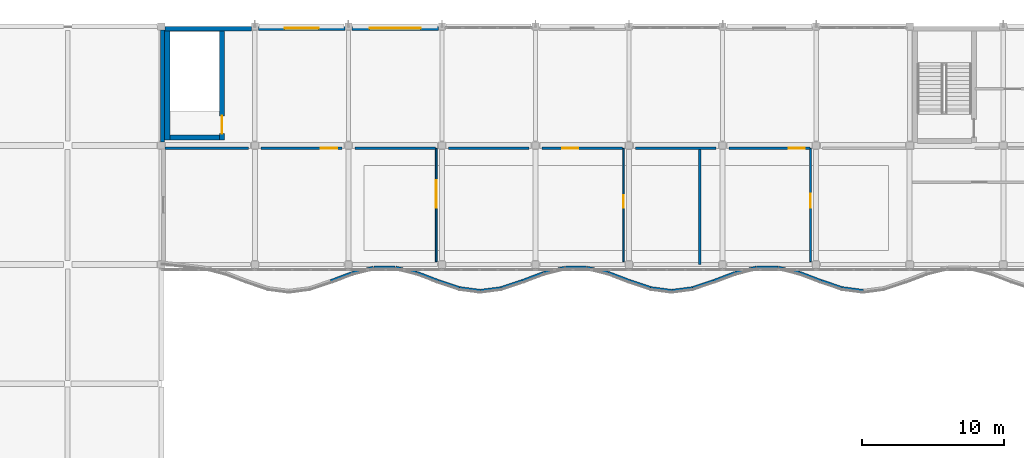
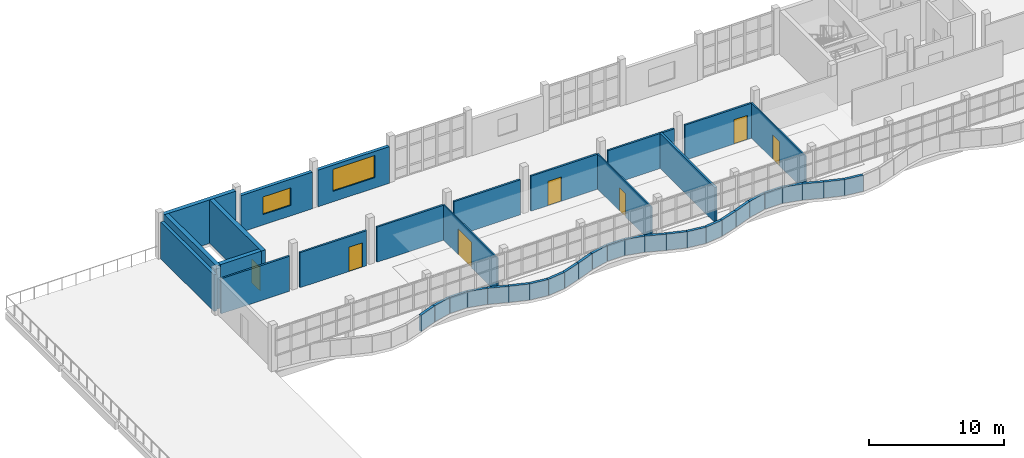
# One storey, part 58 of 78: 43 walls, 7 doors, 2 windows, 9 openings.
"""IFC4 building model written with IfcOpenShell, lengths in metres."""

from ifc_helpers import new_model, si_unit, direction, frame, frame_2d, origin, place, context, subcontext, project, spatial, rectangle, extrude, material, layer, layer_set, type_object, element, fill, save


model = new_model("IFC4")

# Units and contexts
model_context = context("Model", 3, precision=1e-05, world=origin(), true_north=direction((0.0, 1.0)))
body_context = subcontext(model_context, "Body", "Model", "MODEL_VIEW")
ifc_project = project(units=[si_unit("LENGTHUNIT", "METRE"), si_unit("AREAUNIT", "SQUARE_METRE"), si_unit("VOLUMEUNIT", "CUBIC_METRE"), si_unit("PLANEANGLEUNIT", "RADIAN"), si_unit("MASSUNIT", "GRAM", prefix="KILO")], contexts=[model_context])

# Site, building, storey
site_placement = place(None, origin())
site = spatial("IfcSite", under=ifc_project, at=site_placement, CompositionType="ELEMENT")
building_placement = place(site_placement, origin())
building = spatial("IfcBuilding", under=site, at=building_placement, Name="Qaldarim Faculty of Natural and Applied Sciences", CompositionType="ELEMENT")
storey_placement = place(building_placement, frame((0.0, 0.0, 18.60009765625)))
storey = spatial("IfcBuildingStorey", under=building, at=storey_placement, Name="L04", CompositionType="ELEMENT", Elevation=18.60009765625)

# Wall, opening, door
ifc_material_1 = material(Name="Painted gypsum partition board")
ifc_layer_1 = layer(ifc_material_1, 0.1201171875)
ifc_layer_set_1 = layer_set([ifc_layer_1], Name="Painted gypsum partition board")
wall_type_1 = type_object("IfcWallType", Name="AcousticPartition-120", PredefinedType="PARTITIONING", material=ifc_layer_set_1)
wall_1_placement = place(storey_placement, frame((65.60009765625, 101.0, 0.0), z_axis=(0.0, 0.0, 1.0), x_axis=(0.0, 1.0, 0.0)))
wall_1 = element("IfcWall", 1, at=wall_1_placement, inside=storey, type_object=wall_type_1, Name="Interior partition PRT-L04-V4-SUB-1", PredefinedType="PARTITIONING", context=body_context, shape_type="SweptSolid", body=[
    extrude(rectangle(XDim=8.0, YDim=0.1201171875, at=frame_2d((4.0, 0.0))), origin(), (0.0, 0.0, 1.0), 3.18994140625),
])
opening_1_placement = place(wall_1_placement, frame((3.800048828125, 0.0, 0.0)))
opening_1 = element("IfcOpeningElement", 2, at=opening_1_placement, cuts=wall_1, Name="Opening ID13", PredefinedType="OPENING", context=body_context, shape_type="SweptSolid", body=[
    extrude(rectangle(XDim=1.949951171875, YDim=2.35009765625, at=frame_2d((0.97509765625, 1.175048828125))), frame((0.0, 0.070068359375, 0.0), z_axis=(0.0, -1.0, 0.0), x_axis=(1.0, 0.0, 0.0)), (0.0, 0.0, 1.0), 0.14013671875),
])
ifc_material_2 = material(Name="Oak hardwood", Category="wood")
door_type_1 = type_object("IfcDoorType", Name="SymposiumDoubleDoor-1950x2350", OperationType="NOTDEFINED", PredefinedType="DOOR", material=ifc_material_2)
door_1_placement = place(opening_1_placement, origin())
door_1 = element("IfcDoor", 3, at=door_1_placement, inside=storey, type_object=door_type_1, Name="Interior door D-L04-344", OperationType="SINGLE_SWING_LEFT", OverallHeight=2.35009765625, OverallWidth=1.949951171875, PredefinedType="DOOR", context=body_context, shape_type="SweptSolid", body=[
    extrude(rectangle(XDim=1.949951171875, YDim=2.35009765625, at=frame_2d((0.97509765625, 1.175048828125))), frame((0.0, 0.02490234375, 0.0), z_axis=(0.0, -1.0, 0.0), x_axis=(1.0, 0.0, 0.0)), (0.0, 0.0, 1.0), 0.050048828125),
])
fill(opening_1, door_1)

wall_2_placement = place(storey_placement, frame((78.800048828125, 101.0, 0.0), z_axis=(0.0, 0.0, 1.0), x_axis=(0.0, 1.0, 0.0)))
wall_2 = element("IfcWall", 4, at=wall_2_placement, inside=storey, type_object=wall_type_1, Name="Interior partition PRT-L04-V4-SUB-2", PredefinedType="PARTITIONING", context=body_context, shape_type="SweptSolid", body=[
    extrude(rectangle(XDim=8.0, YDim=0.1201171875, at=frame_2d((4.0, 0.0))), origin(), (0.0, 0.0, 1.0), 3.18994140625),
])
opening_2_placement = place(wall_2_placement, frame((3.800048828125, 0.0, 0.0)))
opening_2 = element("IfcOpeningElement", 5, at=opening_2_placement, cuts=wall_2, Name="Opening ID07", PredefinedType="OPENING", context=body_context, shape_type="SweptSolid", body=[
    extrude(rectangle(XDim=0.89990234375, YDim=2.10009765625, at=frame_2d((0.449951171875, 1.050048828125))), frame((0.0, 0.070068359375, 0.0), z_axis=(0.0, -1.0, 0.0), x_axis=(1.0, 0.0, 0.0)), (0.0, 0.0, 1.0), 0.14013671875),
])
door_type_2 = type_object("IfcDoorType", Name="OfficeStudyDoor-900x2100", OperationType="NOTDEFINED", PredefinedType="DOOR", material=ifc_material_2)
door_2_placement = place(opening_2_placement, origin())
door_2 = element("IfcDoor", 6, at=door_2_placement, inside=storey, type_object=door_type_2, Name="Interior door D-L04-345", OperationType="SINGLE_SWING_LEFT", OverallHeight=2.10009765625, OverallWidth=0.89990234375, PredefinedType="DOOR", context=body_context, shape_type="SweptSolid", body=[
    extrude(rectangle(XDim=0.89990234375, YDim=2.10009765625, at=frame_2d((0.449951171875, 1.050048828125))), frame((0.0, 0.02490234375, 0.0), z_axis=(0.0, -1.0, 0.0), x_axis=(1.0, 0.0, 0.0)), (0.0, 0.0, 1.0), 0.050048828125),
])
fill(opening_2, door_2)

wall_3_placement = place(storey_placement, frame((92.0, 101.0, 0.0), z_axis=(0.0, 0.0, 1.0), x_axis=(0.0, 1.0, 0.0)))
wall_3 = element("IfcWall", 7, at=wall_3_placement, inside=storey, type_object=wall_type_1, Name="Interior partition PRT-L04-V4-SUB-3", PredefinedType="PARTITIONING", context=body_context, shape_type="SweptSolid", body=[
    extrude(rectangle(XDim=8.0, YDim=0.1201171875, at=frame_2d((4.0, 0.0))), origin(), (0.0, 0.0, 1.0), 3.18994140625),
])
opening_3_placement = place(wall_3_placement, frame((3.800048828125, 0.0, 0.0)))
opening_3 = element("IfcOpeningElement", 8, at=opening_3_placement, cuts=wall_3, Name="Opening ID08", PredefinedType="OPENING", context=body_context, shape_type="SweptSolid", body=[
    extrude(rectangle(XDim=1.0, YDim=2.199951171875, at=frame_2d((0.5, 1.10009765625))), frame((0.0, 0.070068359375, 0.0), z_axis=(0.0, -1.0, 0.0), x_axis=(1.0, 0.0, 0.0)), (0.0, 0.0, 1.0), 0.14013671875),
])
door_type_3 = type_object("IfcDoorType", Name="SeminarRoomDoor-1000x2200", OperationType="NOTDEFINED", PredefinedType="DOOR", material=ifc_material_2)
door_3_placement = place(opening_3_placement, origin())
door_3 = element("IfcDoor", 9, at=door_3_placement, inside=storey, type_object=door_type_3, Name="Interior door D-L04-346", OperationType="SINGLE_SWING_LEFT", OverallHeight=2.199951171875, OverallWidth=1.0, PredefinedType="DOOR", context=body_context, shape_type="SweptSolid", body=[
    extrude(rectangle(XDim=1.0, YDim=2.199951171875, at=frame_2d((0.5, 1.10009765625))), frame((0.0, 0.02490234375, 0.0), z_axis=(0.0, -1.0, 0.0), x_axis=(1.0, 0.0, 0.0)), (0.0, 0.0, 1.0), 0.050048828125),
])
fill(opening_3, door_3)

# Wall
ifc_material_3 = material(Name="Concrete C50/60", Category="concrete")
ifc_layer_2 = layer(ifc_material_3, 0.360107421875)
ifc_layer_set_2 = layer_set([ifc_layer_2], Name="Concrete C50/60")
wall_type_2 = type_object("IfcWallType", Name="CoreShearWall-360", PredefinedType="SHEAR", material=ifc_layer_set_2)
wall_4_placement = place(storey_placement, frame((46.6201171875, 109.590087890625, 0.0), z_axis=(0.0, 0.0, 1.0), x_axis=(0.0, 1.0, 0.0)))
element("IfcWall", 10, at=wall_4_placement, inside=storey, type_object=wall_type_2, Name="Core stair ST-B2 west shear wall L04", PredefinedType="SHEAR", context=body_context, shape_type="SweptSolid", body=[
    extrude(rectangle(XDim=7.83984375, YDim=0.360107421875, at=frame_2d((3.919921875, 0.0))), origin(), (0.0, 0.0, 1.0), 3.93994140625),
])

# Wall, opening, door
wall_5_placement = place(storey_placement, frame((50.47998046875, 109.590087890625, 0.0), z_axis=(0.0, 0.0, 1.0), x_axis=(0.0, 1.0, 0.0)))
wall_5 = element("IfcWall", 11, at=wall_5_placement, inside=storey, type_object=wall_type_2, Name="Core stair ST-B2 east shear wall L04", PredefinedType="SHEAR", context=body_context, shape_type="SweptSolid", body=[
    extrude(rectangle(XDim=7.83984375, YDim=0.360107421875, at=frame_2d((3.919921875, 0.0))), origin(), (0.0, 0.0, 1.0), 3.93994140625),
])
opening_4_placement = place(wall_5_placement, frame((0.449951171875, 0.0, 0.0)))
opening_4 = element("IfcOpeningElement", 12, at=opening_4_placement, cuts=wall_5, Name="Opening ID04", PredefinedType="OPENING", context=body_context, shape_type="SweptSolid", body=[
    extrude(rectangle(XDim=1.25, YDim=2.14990234375, at=frame_2d((0.625, 1.074951171875))), frame((0.0, 0.18994140625, 0.0), z_axis=(0.0, -1.0, 0.0), x_axis=(1.0, 0.0, 0.0)), (0.0, 0.0, 1.0), 0.380126953125),
])
ifc_material_4 = material(Name="Architectural stainless steel 316", Category="steel")
door_type_4 = type_object("IfcDoorType", Name="StairEnclosureFireDoor-1250x2150", OperationType="NOTDEFINED", PredefinedType="DOOR", material=ifc_material_4)
door_4_placement = place(opening_4_placement, origin())
door_4 = element("IfcDoor", 13, at=door_4_placement, inside=storey, type_object=door_type_4, Name="Protected stair ST-B2 fire door D-L04-537", OperationType="SINGLE_SWING_RIGHT", OverallHeight=2.14990234375, OverallWidth=1.25, PredefinedType="DOOR", context=body_context, shape_type="SweptSolid", body=[
    extrude(rectangle(XDim=1.25, YDim=2.14990234375, at=frame_2d((0.625, 1.074951171875))), frame((0.0, 0.02490234375, 0.0), z_axis=(0.0, -1.0, 0.0), x_axis=(1.0, 0.0, 0.0)), (0.0, 0.0, 1.0), 0.050048828125),
])
fill(opening_4, door_4)

# Walls
wall_6_placement = place(storey_placement, frame((46.800048828125, 109.77001953125, 0.0), z_axis=(0.0, 0.0, 1.0), x_axis=(1.0, 0.0, 0.0)))
element("IfcWall", 14, at=wall_6_placement, inside=storey, type_object=wall_type_2, Name="Core stair ST-B2 south shear wall L04", PredefinedType="SHEAR", context=body_context, shape_type="SweptSolid", body=[
    extrude(rectangle(XDim=3.5, YDim=0.360107421875, at=frame_2d((1.75, 0.0))), origin(), (0.0, 0.0, 1.0), 3.93994140625),
])
ifc_material_5 = material(Name="Precast concrete C40/50", Category="concrete")
ifc_layer_3 = layer(ifc_material_5, 0.280029296875)
ifc_layer_set_3 = layer_set([ifc_layer_3], Name="Precast concrete C40/50")
wall_type_3 = type_object("IfcWallType", Name="ExteriorSpandrelWall-280", PredefinedType="SOLIDWALL", material=ifc_layer_set_3)
wall_7_placement = place(storey_placement, frame((46.2900390625, 117.35498046875, 0.0), z_axis=(0.0, 0.0, 1.0), x_axis=(0.0, -1.0, 0.0)))
element("IfcWall", 15, at=wall_7_placement, inside=storey, type_object=wall_type_3, Name="Exterior wall EW02 L04 W X08Y14", PredefinedType="SOLIDWALL", context=body_context, shape_type="SweptSolid", body=[
    extrude(rectangle(XDim=7.909912109375, YDim=0.280029296875, at=frame_2d((3.955078125, 0.0))), origin(), (0.0, 0.0, 1.0), 3.324951171875),
])

# Wall, opening, window
wall_8_placement = place(storey_placement, frame((59.155029296875, 117.4599609375, 0.0), z_axis=(0.0, 0.0, 1.0), x_axis=(-1.0, 0.0, 0.0)))
wall_8 = element("IfcWall", 16, at=wall_8_placement, inside=storey, type_object=wall_type_3, Name="Exterior wall EW02 L04 N X09Y14", PredefinedType="SOLIDWALL", context=body_context, shape_type="SweptSolid", body=[
    extrude(rectangle(XDim=6.110107421875, YDim=0.280029296875, at=frame_2d((3.05517578125, 0.0))), origin(), (0.0, 0.0, 1.0), 3.324951171875),
])
opening_5_placement = place(wall_8_placement, frame((1.85498046875, 0.0, 0.949951171875)))
opening_5 = element("IfcOpeningElement", 17, at=opening_5_placement, cuts=wall_8, Name="Opening WN03", PredefinedType="OPENING", context=body_context, shape_type="SweptSolid", body=[
    extrude(rectangle(XDim=2.39990234375, YDim=1.60009765625, at=frame_2d((1.199951171875, 0.800048828125))), frame((0.0, 0.14990234375, 0.0), z_axis=(0.0, -1.0, 0.0), x_axis=(1.0, 0.0, 0.0)), (0.0, 0.0, 1.0), 0.300048828125),
])
ifc_material_6 = material(Name="Insulated low-e double glazing", Category="glass")
window_type_1 = type_object("IfcWindowType", Name="Window-2400x1600", PartitioningType="TRIPLE_PANEL_VERTICAL", PredefinedType="WINDOW", material=ifc_material_6)
window_1_placement = place(opening_5_placement, origin())
window_1 = element("IfcWindow", 18, at=window_1_placement, inside=storey, type_object=window_type_1, Name="Facade window WN03 L04 N X09Y14", OverallHeight=1.60009765625, OverallWidth=2.39990234375, PartitioningType="SINGLE_PANEL", PredefinedType="WINDOW", context=body_context, shape_type="SweptSolid", body=[
    extrude(rectangle(XDim=2.39990234375, YDim=1.60009765625, at=frame_2d((1.199951171875, 0.800048828125))), frame((0.0, 0.030029296875, 0.0), z_axis=(0.0, -1.0, 0.0), x_axis=(1.0, 0.0, 0.0)), (0.0, 0.0, 1.0), 0.06005859375),
])
fill(opening_5, window_1)

wall_9_placement = place(storey_placement, frame((65.7548828125, 117.4599609375, 0.0), z_axis=(0.0, 0.0, 1.0), x_axis=(-1.0, 0.0, 0.0)))
wall_9 = element("IfcWall", 19, at=wall_9_placement, inside=storey, type_object=wall_type_3, Name="Exterior wall EW02 L04 N X10Y14", PredefinedType="SOLIDWALL", context=body_context, shape_type="SweptSolid", body=[
    extrude(rectangle(XDim=6.10986328125, YDim=0.280029296875, at=frame_2d((3.054931640625, 0.0))), origin(), (0.0, 0.0, 1.0), 3.324951171875),
])
opening_6_placement = place(wall_9_placement, frame((1.2548828125, 0.0, 0.949951171875)))
opening_6 = element("IfcOpeningElement", 20, at=opening_6_placement, cuts=wall_9, Name="Opening WN07", PredefinedType="OPENING", context=body_context, shape_type="SweptSolid", body=[
    extrude(rectangle(XDim=3.60009765625, YDim=2.0, at=frame_2d((1.800048828125, 1.0))), frame((0.0, 0.14990234375, 0.0), z_axis=(0.0, -1.0, 0.0), x_axis=(1.0, 0.0, 0.0)), (0.0, 0.0, 1.0), 0.300048828125),
])
window_type_2 = type_object("IfcWindowType", Name="Window-3600x2000", PartitioningType="TRIPLE_PANEL_VERTICAL", PredefinedType="WINDOW", material=ifc_material_6)
window_2_placement = place(opening_6_placement, origin())
window_2 = element("IfcWindow", 21, at=window_2_placement, inside=storey, type_object=window_type_2, Name="Facade window WN07 L04 N X10Y14", OverallHeight=2.0, OverallWidth=3.60009765625, PartitioningType="SINGLE_PANEL", PredefinedType="WINDOW", context=body_context, shape_type="SweptSolid", body=[
    extrude(rectangle(XDim=3.60009765625, YDim=2.0, at=frame_2d((1.800048828125, 1.0))), frame((0.0, 0.030029296875, 0.0), z_axis=(0.0, -1.0, 0.0), x_axis=(1.0, 0.0, 0.0)), (0.0, 0.0, 1.0), 0.06005859375),
])
fill(opening_6, window_2)

# Walls
ifc_layer_4 = layer(ifc_material_3, 0.340087890625)
ifc_layer_set_4 = layer_set([ifc_layer_4], Name="Concrete C50/60")
wall_type_4 = type_object("IfcWallType", Name="ExteriorStairShearWall-340", PredefinedType="SHEAR", material=ifc_layer_set_4)
wall_10_placement = place(storey_placement, frame((52.554931640625, 117.429931640625, 0.0), z_axis=(0.0, 0.0, 1.0), x_axis=(-1.0, 0.0, 0.0)))
element("IfcWall", 22, at=wall_10_placement, inside=storey, type_object=wall_type_4, Name="Exterior wall EW05 L04 N X08Y14", PredefinedType="SHEAR", context=body_context, shape_type="SweptSolid", body=[
    extrude(rectangle(XDim=6.10986328125, YDim=0.340087890625, at=frame_2d((3.054931640625, 0.0))), origin(), (0.0, 0.0, 1.0), 3.93994140625),
])
ifc_material_7 = material(Name="Concrete C40/50", Category="concrete")
ifc_layer_5 = layer(ifc_material_7, 0.159912109375)
ifc_layer_set_5 = layer_set([ifc_layer_5], Name="Concrete C40/50")
wall_type_5 = type_object("IfcWallType", Name="FireCorridorWall-160", PredefinedType="PARTITIONING", material=ifc_layer_set_5)
wall_11_placement = place(storey_placement, frame((46.47998046875, 109.0, 0.0), z_axis=(0.0, 0.0, 1.0), x_axis=(1.0, 0.0, 0.0)))
element("IfcWall", 23, at=wall_11_placement, inside=storey, type_object=wall_type_5, Name="Interior partition PRT-L04-V4-CORSW-S1", PredefinedType="PARTITIONING", context=body_context, shape_type="SweptSolid", body=[
    extrude(rectangle(XDim=5.8701171875, YDim=0.159912109375, at=frame_2d((2.93505859375, 0.0))), origin(), (0.0, 0.0, 1.0), 3.1748046875),
])

# Wall, opening, door
wall_12_placement = place(storey_placement, frame((53.25, 109.0, 0.0), z_axis=(0.0, 0.0, 1.0), x_axis=(1.0, 0.0, 0.0)))
wall_12 = element("IfcWall", 24, at=wall_12_placement, inside=storey, type_object=wall_type_5, Name="Interior partition PRT-L04-V4-CORSW-S2", PredefinedType="PARTITIONING", context=body_context, shape_type="SweptSolid", body=[
    extrude(rectangle(XDim=5.699951171875, YDim=0.159912109375, at=frame_2d((2.85009765625, 0.0))), origin(), (0.0, 0.0, 1.0), 3.1748046875),
])
opening_7_placement = place(wall_12_placement, frame((4.199951171875, 0.0, 0.0)))
opening_7 = element("IfcOpeningElement", 25, at=opening_7_placement, cuts=wall_12, Name="Opening ID09", PredefinedType="OPENING", context=body_context, shape_type="SweptSolid", body=[
    extrude(rectangle(XDim=1.14990234375, YDim=2.199951171875, at=frame_2d((0.574951171875, 1.10009765625))), frame((0.0, 0.08984375, 0.0), z_axis=(0.0, -1.0, 0.0), x_axis=(1.0, 0.0, 0.0)), (0.0, 0.0, 1.0), 0.179931640625),
])
door_type_5 = type_object("IfcDoorType", Name="CleanroomAirlockDoor-1150x2200", OperationType="NOTDEFINED", PredefinedType="DOOR", material=ifc_material_4)
door_5_placement = place(opening_7_placement, origin())
door_5 = element("IfcDoor", 26, at=door_5_placement, inside=storey, type_object=door_type_5, Name="Interior door D-L04-243", OperationType="SINGLE_SWING_LEFT", OverallHeight=2.199951171875, OverallWidth=1.14990234375, PredefinedType="DOOR", context=body_context, shape_type="SweptSolid", body=[
    extrude(rectangle(XDim=1.14990234375, YDim=2.199951171875, at=frame_2d((0.574951171875, 1.10009765625))), frame((0.0, 0.02490234375, 0.0), z_axis=(0.0, -1.0, 0.0), x_axis=(1.0, 0.0, 0.0)), (0.0, 0.0, 1.0), 0.050048828125),
])
fill(opening_7, door_5)

# Walls
for number, where, z_axis, x_axis, name in (
    (27, (59.85009765625, 109.0, 0.0), (0.0, 0.0, 1.0), (1.0, 0.0, 0.0), "Interior partition PRT-L04-V4-CORSW-S3"),
    (28, (66.449951171875, 109.0, 0.0), (0.0, 0.0, 1.0), (1.0, 0.0, 0.0), "Interior partition PRT-L04-V4-CORSW-S4"),
):
    element("IfcWall", number, at=place(storey_placement, frame(where, z_axis=z_axis, x_axis=x_axis)), inside=storey, type_object=wall_type_5, Name=name, PredefinedType="PARTITIONING", context=body_context, shape_type="SweptSolid", body=[
        extrude(rectangle(XDim=5.699951171875, YDim=0.159912109375, at=frame_2d((2.85009765625, 0.0))), origin(), (0.0, 0.0, 1.0), 3.1748046875),
    ])

# Wall, opening, door
wall_13_placement = place(storey_placement, frame((73.050048828125, 109.0, 0.0), z_axis=(0.0, 0.0, 1.0), x_axis=(1.0, 0.0, 0.0)))
wall_13 = element("IfcWall", 29, at=wall_13_placement, inside=storey, type_object=wall_type_5, Name="Interior partition PRT-L04-V4-CORSW-S5", PredefinedType="PARTITIONING", context=body_context, shape_type="SweptSolid", body=[
    extrude(rectangle(XDim=5.699951171875, YDim=0.159912109375, at=frame_2d((2.85009765625, 0.0))), origin(), (0.0, 0.0, 1.0), 3.1748046875),
])
opening_8_placement = place(wall_13_placement, frame((1.429931640625, 0.0, 0.0)))
opening_8 = element("IfcOpeningElement", 30, at=opening_8_placement, cuts=wall_13, Name="Opening ID09", PredefinedType="OPENING", context=body_context, shape_type="SweptSolid", body=[
    extrude(rectangle(XDim=1.14990234375, YDim=2.199951171875, at=frame_2d((0.574951171875, 1.10009765625))), frame((0.0, 0.08984375, 0.0), z_axis=(0.0, -1.0, 0.0), x_axis=(1.0, 0.0, 0.0)), (0.0, 0.0, 1.0), 0.179931640625),
])
door_6_placement = place(opening_8_placement, origin())
door_6 = element("IfcDoor", 31, at=door_6_placement, inside=storey, type_object=door_type_5, Name="Interior door D-L04-244", OperationType="SINGLE_SWING_RIGHT", OverallHeight=2.199951171875, OverallWidth=1.14990234375, PredefinedType="DOOR", context=body_context, shape_type="SweptSolid", body=[
    extrude(rectangle(XDim=1.14990234375, YDim=2.199951171875, at=frame_2d((0.574951171875, 1.10009765625))), frame((0.0, 0.02490234375, 0.0), z_axis=(0.0, -1.0, 0.0), x_axis=(1.0, 0.0, 0.0)), (0.0, 0.0, 1.0), 0.050048828125),
])
fill(opening_8, door_6)

# Wall
wall_14_placement = place(storey_placement, frame((79.64990234375, 109.0, 0.0), z_axis=(0.0, 0.0, 1.0), x_axis=(1.0, 0.0, 0.0)))
element("IfcWall", 32, at=wall_14_placement, inside=storey, type_object=wall_type_5, Name="Interior partition PRT-L04-V4-CORSW-S6", PredefinedType="PARTITIONING", context=body_context, shape_type="SweptSolid", body=[
    extrude(rectangle(XDim=5.7001953125, YDim=0.159912109375, at=frame_2d((2.85009765625, 0.0))), origin(), (0.0, 0.0, 1.0), 3.1748046875),
])

# Wall, opening, door
wall_15_placement = place(storey_placement, frame((86.25, 109.0, 0.0), z_axis=(0.0, 0.0, 1.0), x_axis=(1.0, 0.0, 0.0)))
wall_15 = element("IfcWall", 33, at=wall_15_placement, inside=storey, type_object=wall_type_5, Name="Interior partition PRT-L04-V4-CORSW-S7", PredefinedType="PARTITIONING", context=body_context, shape_type="SweptSolid", body=[
    extrude(rectangle(XDim=5.699951171875, YDim=0.159912109375, at=frame_2d((2.85009765625, 0.0))), origin(), (0.0, 0.0, 1.0), 3.1748046875),
])
opening_9_placement = place(wall_15_placement, frame((4.199951171875, 0.0, 0.0)))
opening_9 = element("IfcOpeningElement", 34, at=opening_9_placement, cuts=wall_15, Name="Opening ID09", PredefinedType="OPENING", context=body_context, shape_type="SweptSolid", body=[
    extrude(rectangle(XDim=1.14990234375, YDim=2.199951171875, at=frame_2d((0.574951171875, 1.10009765625))), frame((0.0, 0.08984375, 0.0), z_axis=(0.0, -1.0, 0.0), x_axis=(1.0, 0.0, 0.0)), (0.0, 0.0, 1.0), 0.179931640625),
])
door_7_placement = place(opening_9_placement, origin())
door_7 = element("IfcDoor", 35, at=door_7_placement, inside=storey, type_object=door_type_5, Name="Interior door D-L04-245", OperationType="SINGLE_SWING_LEFT", OverallHeight=2.199951171875, OverallWidth=1.14990234375, PredefinedType="DOOR", context=body_context, shape_type="SweptSolid", body=[
    extrude(rectangle(XDim=1.14990234375, YDim=2.199951171875, at=frame_2d((0.574951171875, 1.10009765625))), frame((0.0, 0.02490234375, 0.0), z_axis=(0.0, -1.0, 0.0), x_axis=(1.0, 0.0, 0.0)), (0.0, 0.0, 1.0), 0.050048828125),
])
fill(opening_9, door_7)

# Walls
ifc_layer_6 = layer(ifc_material_7, 0.179931640625)
ifc_layer_set_6 = layer_set([ifc_layer_6], Name="Concrete C40/50")
wall_type_6 = type_object("IfcWallType", Name="LabFireCompartmentWall-180", PredefinedType="SOLIDWALL", material=ifc_layer_set_6)
wall_16_placement = place(storey_placement, frame((84.199951171875, 100.800048828125, 0.0), z_axis=(0.0, 0.0, 1.0), x_axis=(0.0, 1.0, 0.0)))
element("IfcWall", 36, at=wall_16_placement, inside=storey, type_object=wall_type_6, Name="Interior partition PRT-L04-V4-GEOD", PredefinedType="SOLIDWALL", context=body_context, shape_type="SweptSolid", body=[
    extrude(rectangle(XDim=8.199951171875, YDim=0.179931640625, at=frame_2d((4.10009765625, 0.0))), origin(), (0.0, 0.0, 1.0), 3.18994140625),
])
ifc_material_8 = material(Name="White architectural precast concrete C40/50", Category="concrete")
ifc_layer_7 = layer(ifc_material_8, 0.219970703125)
ifc_layer_set_7 = layer_set([ifc_layer_7], Name="White architectural precast concrete C40/50")
wall_type_7 = type_object("IfcWallType", Name="WhitePrecastWaveBand-220", PredefinedType="SOLIDWALL", material=ifc_layer_set_7)
wall_17_placement = place(storey_placement, frame((58.14990234375, 99.6298828125, 0.0), z_axis=(0.0, 0.0, 1.0), x_axis=(0.934769434387, 0.355254985237, 0.0)))
element("IfcWall", 37, at=wall_17_placement, inside=storey, type_object=wall_type_7, Name="White precast wave spandrel band L04 chord 09", PredefinedType="SOLIDWALL", context=body_context, shape_type="SweptSolid", body=[
    extrude(rectangle(XDim=1.604736328125, YDim=0.219970703125, at=frame_2d((0.80224609375, 0.0))), origin(), (0.0, 0.0, 1.0), 1.449951171875),
])
wall_18_placement = place(storey_placement, frame((59.6650390625, 100.205078125, 0.0), z_axis=(0.0, 0.0, 1.0), x_axis=(0.970142500145, 0.242535625036, 0.0)))
element("IfcWall", 38, at=wall_18_placement, inside=storey, type_object=wall_type_7, Name="White precast wave spandrel band L04 chord 10", PredefinedType="SOLIDWALL", context=body_context, shape_type="SweptSolid", body=[
    extrude(rectangle(XDim=1.546142578125, YDim=0.219970703125, at=frame_2d((0.77294921875, 0.0))), origin(), (0.0, 0.0, 1.0), 1.449951171875),
])
wall_19_placement = place(storey_placement, frame((61.199951171875, 100.5849609375, 0.0), z_axis=(0.0, 0.0, 1.0), x_axis=(0.999994158796, 0.003417948785, 0.0)))
element("IfcWall", 39, at=wall_19_placement, inside=storey, type_object=wall_type_7, Name="White precast wave spandrel band L04 chord 11", PredefinedType="SOLIDWALL", context=body_context, shape_type="SweptSolid", body=[
    extrude(rectangle(XDim=1.5, YDim=0.219970703125, at=frame_2d((0.75, 0.0))), origin(), (0.0, 0.0, 1.0), 1.449951171875),
])
wall_20_placement = place(storey_placement, frame((62.735107421875, 100.5849609375, 0.0), z_axis=(0.0, 0.0, 1.0), x_axis=(0.970918311966, -0.239411009542, 0.0)))
element("IfcWall", 40, at=wall_20_placement, inside=storey, type_object=wall_type_7, Name="White precast wave spandrel band L04 chord 12", PredefinedType="SOLIDWALL", context=body_context, shape_type="SweptSolid", body=[
    extrude(rectangle(XDim=1.544921875, YDim=0.219970703125, at=frame_2d((0.7724609375, 0.0))), origin(), (0.0, 0.0, 1.0), 1.449951171875),
])
wall_21_placement = place(storey_placement, frame((64.25, 100.2099609375, 0.0), z_axis=(0.0, 0.0, 1.0), x_axis=(0.933756275822, -0.35790951002, 0.0)))
element("IfcWall", 41, at=wall_21_placement, inside=storey, type_object=wall_type_7, Name="White precast wave spandrel band L04 chord 13", PredefinedType="SOLIDWALL", context=body_context, shape_type="SweptSolid", body=[
    extrude(rectangle(XDim=1.6064453125, YDim=0.219970703125, at=frame_2d((0.80322265625, 0.0))), origin(), (0.0, 0.0, 1.0), 1.449951171875),
])
wall_22_placement = place(storey_placement, frame((65.7451171875, 99.639892578125, 0.0), z_axis=(0.0, 0.0, 1.0), x_axis=(0.947753693993, -0.31900303372, 0.0)))
element("IfcWall", 42, at=wall_22_placement, inside=storey, type_object=wall_type_7, Name="White precast wave spandrel band L04 chord 14", PredefinedType="SOLIDWALL", context=body_context, shape_type="SweptSolid", body=[
    extrude(rectangle(XDim=1.582763671875, YDim=0.219970703125, at=frame_2d((0.79150390625, 0.0))), origin(), (0.0, 0.0, 1.0), 1.449951171875),
])
wall_23_placement = place(storey_placement, frame((67.219970703125, 99.139892578125, 0.0), z_axis=(0.0, 0.0, 1.0), x_axis=(0.99123212725, -0.132132016963, 0.0)))
element("IfcWall", 43, at=wall_23_placement, inside=storey, type_object=wall_type_7, Name="White precast wave spandrel band L04 chord 15", PredefinedType="SOLIDWALL", context=body_context, shape_type="SweptSolid", body=[
    extrude(rectangle(XDim=1.51318359375, YDim=0.219970703125, at=frame_2d((0.756591796875, 0.0))), origin(), (0.0, 0.0, 1.0), 1.449951171875),
])
wall_24_placement = place(storey_placement, frame((68.679931640625, 98.93994140625, 0.0), z_axis=(0.0, 0.0, 1.0), x_axis=(0.991649838976, 0.128959671442, 0.0)))
element("IfcWall", 44, at=wall_24_placement, inside=storey, type_object=wall_type_7, Name="White precast wave spandrel band L04 chord 16", PredefinedType="SOLIDWALL", context=body_context, shape_type="SweptSolid", body=[
    extrude(rectangle(XDim=1.5126953125, YDim=0.219970703125, at=frame_2d((0.75634765625, 0.0))), origin(), (0.0, 0.0, 1.0), 1.449951171875),
])
wall_25_placement = place(storey_placement, frame((70.155029296875, 99.1298828125, 0.0), z_axis=(0.0, 0.0, 1.0), x_axis=(0.947707048734, 0.319141582655, 0.0)))
element("IfcWall", 45, at=wall_25_placement, inside=storey, type_object=wall_type_7, Name="White precast wave spandrel band L04 chord 17", PredefinedType="SOLIDWALL", context=body_context, shape_type="SweptSolid", body=[
    extrude(rectangle(XDim=1.582763671875, YDim=0.219970703125, at=frame_2d((0.79150390625, 0.0))), origin(), (0.0, 0.0, 1.0), 1.449951171875),
])
wall_26_placement = place(storey_placement, frame((71.64990234375, 99.6298828125, 0.0), z_axis=(0.0, 0.0, 1.0), x_axis=(0.934769434387, 0.355254985237, 0.0)))
element("IfcWall", 46, at=wall_26_placement, inside=storey, type_object=wall_type_7, Name="White precast wave spandrel band L04 chord 18", PredefinedType="SOLIDWALL", context=body_context, shape_type="SweptSolid", body=[
    extrude(rectangle(XDim=1.604736328125, YDim=0.219970703125, at=frame_2d((0.80224609375, 0.0))), origin(), (0.0, 0.0, 1.0), 1.449951171875),
])
wall_27_placement = place(storey_placement, frame((73.1650390625, 100.205078125, 0.0), z_axis=(0.0, 0.0, 1.0), x_axis=(0.970142500145, 0.242535625036, 0.0)))
element("IfcWall", 47, at=wall_27_placement, inside=storey, type_object=wall_type_7, Name="White precast wave spandrel band L04 chord 19", PredefinedType="SOLIDWALL", context=body_context, shape_type="SweptSolid", body=[
    extrude(rectangle(XDim=1.546142578125, YDim=0.219970703125, at=frame_2d((0.77294921875, 0.0))), origin(), (0.0, 0.0, 1.0), 1.449951171875),
])
wall_28_placement = place(storey_placement, frame((74.699951171875, 100.5849609375, 0.0), z_axis=(0.0, 0.0, 1.0), x_axis=(0.999994158796, 0.003417948785, 0.0)))
element("IfcWall", 48, at=wall_28_placement, inside=storey, type_object=wall_type_7, Name="White precast wave spandrel band L04 chord 20", PredefinedType="SOLIDWALL", context=body_context, shape_type="SweptSolid", body=[
    extrude(rectangle(XDim=1.5, YDim=0.219970703125, at=frame_2d((0.75, 0.0))), origin(), (0.0, 0.0, 1.0), 1.449951171875),
])
wall_29_placement = place(storey_placement, frame((76.235107421875, 100.5849609375, 0.0), z_axis=(0.0, 0.0, 1.0), x_axis=(0.970918311966, -0.239411009542, 0.0)))
element("IfcWall", 49, at=wall_29_placement, inside=storey, type_object=wall_type_7, Name="White precast wave spandrel band L04 chord 21", PredefinedType="SOLIDWALL", context=body_context, shape_type="SweptSolid", body=[
    extrude(rectangle(XDim=1.544921875, YDim=0.219970703125, at=frame_2d((0.7724609375, 0.0))), origin(), (0.0, 0.0, 1.0), 1.449951171875),
])
wall_30_placement = place(storey_placement, frame((77.75, 100.2099609375, 0.0), z_axis=(0.0, 0.0, 1.0), x_axis=(0.933756275822, -0.35790951002, 0.0)))
element("IfcWall", 50, at=wall_30_placement, inside=storey, type_object=wall_type_7, Name="White precast wave spandrel band L04 chord 22", PredefinedType="SOLIDWALL", context=body_context, shape_type="SweptSolid", body=[
    extrude(rectangle(XDim=1.6064453125, YDim=0.219970703125, at=frame_2d((0.80322265625, 0.0))), origin(), (0.0, 0.0, 1.0), 1.449951171875),
])
wall_31_placement = place(storey_placement, frame((79.2451171875, 99.639892578125, 0.0), z_axis=(0.0, 0.0, 1.0), x_axis=(0.947753693993, -0.31900303372, 0.0)))
element("IfcWall", 51, at=wall_31_placement, inside=storey, type_object=wall_type_7, Name="White precast wave spandrel band L04 chord 23", PredefinedType="SOLIDWALL", context=body_context, shape_type="SweptSolid", body=[
    extrude(rectangle(XDim=1.582763671875, YDim=0.219970703125, at=frame_2d((0.79150390625, 0.0))), origin(), (0.0, 0.0, 1.0), 1.449951171875),
])
wall_32_placement = place(storey_placement, frame((80.719970703125, 99.139892578125, 0.0), z_axis=(0.0, 0.0, 1.0), x_axis=(0.99123212725, -0.132132016963, 0.0)))
element("IfcWall", 52, at=wall_32_placement, inside=storey, type_object=wall_type_7, Name="White precast wave spandrel band L04 chord 24", PredefinedType="SOLIDWALL", context=body_context, shape_type="SweptSolid", body=[
    extrude(rectangle(XDim=1.51318359375, YDim=0.219970703125, at=frame_2d((0.756591796875, 0.0))), origin(), (0.0, 0.0, 1.0), 1.449951171875),
])
wall_33_placement = place(storey_placement, frame((82.179931640625, 98.93994140625, 0.0), z_axis=(0.0, 0.0, 1.0), x_axis=(0.991649838976, 0.128959671442, 0.0)))
element("IfcWall", 53, at=wall_33_placement, inside=storey, type_object=wall_type_7, Name="White precast wave spandrel band L04 chord 25", PredefinedType="SOLIDWALL", context=body_context, shape_type="SweptSolid", body=[
    extrude(rectangle(XDim=1.5126953125, YDim=0.219970703125, at=frame_2d((0.75634765625, 0.0))), origin(), (0.0, 0.0, 1.0), 1.449951171875),
])
wall_34_placement = place(storey_placement, frame((83.655029296875, 99.1298828125, 0.0), z_axis=(0.0, 0.0, 1.0), x_axis=(0.947707048734, 0.319141582655, 0.0)))
element("IfcWall", 54, at=wall_34_placement, inside=storey, type_object=wall_type_7, Name="White precast wave spandrel band L04 chord 26", PredefinedType="SOLIDWALL", context=body_context, shape_type="SweptSolid", body=[
    extrude(rectangle(XDim=1.582763671875, YDim=0.219970703125, at=frame_2d((0.79150390625, 0.0))), origin(), (0.0, 0.0, 1.0), 1.449951171875),
])
wall_35_placement = place(storey_placement, frame((85.14990234375, 99.6298828125, 0.0), z_axis=(0.0, 0.0, 1.0), x_axis=(0.934769434387, 0.355254985237, 0.0)))
element("IfcWall", 55, at=wall_35_placement, inside=storey, type_object=wall_type_7, Name="White precast wave spandrel band L04 chord 27", PredefinedType="SOLIDWALL", context=body_context, shape_type="SweptSolid", body=[
    extrude(rectangle(XDim=1.604736328125, YDim=0.219970703125, at=frame_2d((0.80224609375, 0.0))), origin(), (0.0, 0.0, 1.0), 1.449951171875),
])
wall_36_placement = place(storey_placement, frame((86.6650390625, 100.205078125, 0.0), z_axis=(0.0, 0.0, 1.0), x_axis=(0.970142500145, 0.242535625036, 0.0)))
element("IfcWall", 56, at=wall_36_placement, inside=storey, type_object=wall_type_7, Name="White precast wave spandrel band L04 chord 28", PredefinedType="SOLIDWALL", context=body_context, shape_type="SweptSolid", body=[
    extrude(rectangle(XDim=1.546142578125, YDim=0.219970703125, at=frame_2d((0.77294921875, 0.0))), origin(), (0.0, 0.0, 1.0), 1.449951171875),
])
wall_37_placement = place(storey_placement, frame((88.199951171875, 100.5849609375, 0.0), z_axis=(0.0, 0.0, 1.0), x_axis=(0.999994158796, 0.003417948785, 0.0)))
element("IfcWall", 57, at=wall_37_placement, inside=storey, type_object=wall_type_7, Name="White precast wave spandrel band L04 chord 29", PredefinedType="SOLIDWALL", context=body_context, shape_type="SweptSolid", body=[
    extrude(rectangle(XDim=1.5, YDim=0.219970703125, at=frame_2d((0.75, 0.0))), origin(), (0.0, 0.0, 1.0), 1.449951171875),
])
wall_38_placement = place(storey_placement, frame((89.735107421875, 100.5849609375, 0.0), z_axis=(0.0, 0.0, 1.0), x_axis=(0.970918311966, -0.239411009542, 0.0)))
element("IfcWall", 58, at=wall_38_placement, inside=storey, type_object=wall_type_7, Name="White precast wave spandrel band L04 chord 30", PredefinedType="SOLIDWALL", context=body_context, shape_type="SweptSolid", body=[
    extrude(rectangle(XDim=1.544921875, YDim=0.219970703125, at=frame_2d((0.7724609375, 0.0))), origin(), (0.0, 0.0, 1.0), 1.449951171875),
])
wall_39_placement = place(storey_placement, frame((91.25, 100.2099609375, 0.0), z_axis=(0.0, 0.0, 1.0), x_axis=(0.933756275822, -0.35790951002, 0.0)))
element("IfcWall", 59, at=wall_39_placement, inside=storey, type_object=wall_type_7, Name="White precast wave spandrel band L04 chord 31", PredefinedType="SOLIDWALL", context=body_context, shape_type="SweptSolid", body=[
    extrude(rectangle(XDim=1.6064453125, YDim=0.219970703125, at=frame_2d((0.80322265625, 0.0))), origin(), (0.0, 0.0, 1.0), 1.449951171875),
])
wall_40_placement = place(storey_placement, frame((92.7451171875, 99.639892578125, 0.0), z_axis=(0.0, 0.0, 1.0), x_axis=(0.947753693993, -0.31900303372, 0.0)))
element("IfcWall", 60, at=wall_40_placement, inside=storey, type_object=wall_type_7, Name="White precast wave spandrel band L04 chord 32", PredefinedType="SOLIDWALL", context=body_context, shape_type="SweptSolid", body=[
    extrude(rectangle(XDim=1.582763671875, YDim=0.219970703125, at=frame_2d((0.79150390625, 0.0))), origin(), (0.0, 0.0, 1.0), 1.449951171875),
])
wall_41_placement = place(storey_placement, frame((94.219970703125, 99.139892578125, 0.0), z_axis=(0.0, 0.0, 1.0), x_axis=(0.99123212725, -0.132132016963, 0.0)))
element("IfcWall", 61, at=wall_41_placement, inside=storey, type_object=wall_type_7, Name="White precast wave spandrel band L04 chord 33", PredefinedType="SOLIDWALL", context=body_context, shape_type="SweptSolid", body=[
    extrude(rectangle(XDim=1.51318359375, YDim=0.219970703125, at=frame_2d((0.756591796875, 0.0))), origin(), (0.0, 0.0, 1.0), 1.449951171875),
])

save(model, "model.ifc")
